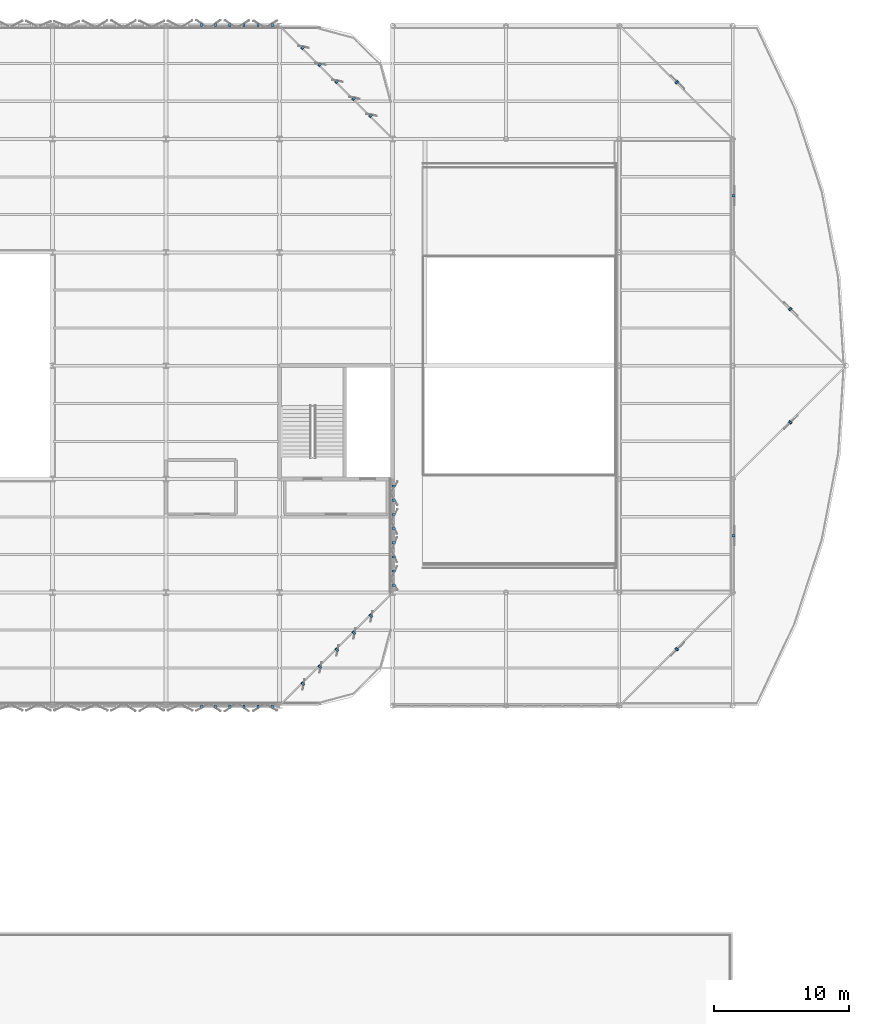
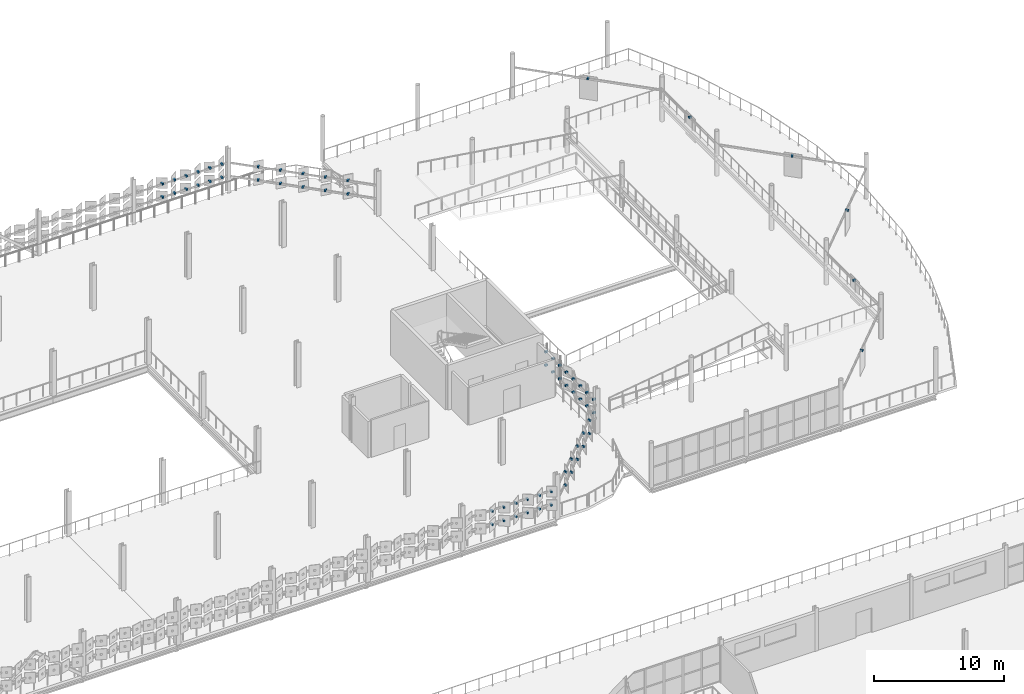
# One storey, part 174 of 184: 66 discrete accessories.
"""IFC4 building model written with IfcOpenShell, lengths in metres."""

from ifc_helpers import new_model, si_unit, direction, frame, origin, origin_2d, place, context, subcontext, project, spatial, rectangle, extrude, material, type_object, element, save


model = new_model("IFC4")

# Units and contexts
model_context = context("Model", 3, precision=1e-05, world=origin(), true_north=direction((0.0, 1.0)))
body_context = subcontext(model_context, "Body", "Model", "MODEL_VIEW")
ifc_project = project(units=[si_unit("LENGTHUNIT", "METRE"), si_unit("AREAUNIT", "SQUARE_METRE"), si_unit("VOLUMEUNIT", "CUBIC_METRE"), si_unit("PLANEANGLEUNIT", "RADIAN"), si_unit("MASSUNIT", "GRAM", prefix="KILO")], contexts=[model_context])

# Site, building, storey
site_placement = place(None, origin())
site = spatial("IfcSite", under=ifc_project, at=site_placement, CompositionType="ELEMENT")
building_placement = place(site_placement, origin())
building = spatial("IfcBuilding", under=site, at=building_placement, Name="Qalvenar Corner Mobility Hub", CompositionType="ELEMENT")
storey_placement = place(building_placement, frame((0.0, 0.0, 9.0)))
storey = spatial("IfcBuildingStorey", under=building, at=storey_placement, Name="L02", CompositionType="ELEMENT", Elevation=9.0)

# Discrete accessories
ifc_material = material(Name="Steel S355", Category="steel")
discrete_accessory_type = type_object("IfcDiscreteAccessoryType", Name="ACC-HINGE-BRK", PredefinedType="BRACKET", material=ifc_material)
for number, where, z_axis, x_axis, name in (
    (1, (128.625, 67.1201171875, 1.419921875), (0.0, 0.0, 1.0), (1.0, 0.0, 0.0), "Panel Hinge Bracket BK-L02-0477"),
    (2, (128.625, 67.1201171875, 2.669921875), (0.0, 0.0, 1.0), (1.0, 0.0, 0.0), "Panel Hinge Bracket BK-L02-0478"),
    (3, (129.675048828125, 67.1201171875, 1.419921875), (0.0, 0.0, 1.0), (1.0, 0.0, 0.0), "Panel Hinge Bracket BK-L02-0479"),
    (4, (129.675048828125, 67.1201171875, 2.669921875), (0.0, 0.0, 1.0), (1.0, 0.0, 0.0), "Panel Hinge Bracket BK-L02-0480"),
    (5, (130.72509765625, 67.1201171875, 1.419921875), (0.0, 0.0, 1.0), (1.0, 0.0, 0.0), "Panel Hinge Bracket BK-L02-0481"),
    (6, (130.72509765625, 67.1201171875, 2.669921875), (0.0, 0.0, 1.0), (1.0, 0.0, 0.0), "Panel Hinge Bracket BK-L02-0482"),
    (7, (131.77490234375, 67.1201171875, 1.419921875), (0.0, 0.0, 1.0), (1.0, 0.0, 0.0), "Panel Hinge Bracket BK-L02-0483"),
    (8, (131.77490234375, 67.1201171875, 2.669921875), (0.0, 0.0, 1.0), (1.0, 0.0, 0.0), "Panel Hinge Bracket BK-L02-0484"),
    (9, (132.824951171875, 67.1201171875, 1.419921875), (0.0, 0.0, 1.0), (1.0, 0.0, 0.0), "Panel Hinge Bracket BK-L02-0485"),
    (10, (132.824951171875, 67.1201171875, 2.669921875), (0.0, 0.0, 1.0), (1.0, 0.0, 0.0), "Panel Hinge Bracket BK-L02-0486"),
    (11, (133.875, 67.1201171875, 1.419921875), (0.0, 0.0, 1.0), (1.0, 0.0, 0.0), "Panel Hinge Bracket BK-L02-0487"),
    (12, (133.875, 67.1201171875, 2.669921875), (0.0, 0.0, 1.0), (1.0, 0.0, 0.0), "Panel Hinge Bracket BK-L02-0488"),
    (13, (133.875, 117.679931640625, 1.419921875), (0.0, 0.0, 1.0), (-1.0, 0.0, 0.0), "Panel Hinge Bracket BK-L02-0489"),
    (14, (133.875, 117.679931640625, 2.669921875), (0.0, 0.0, 1.0), (-1.0, 0.0, 0.0), "Panel Hinge Bracket BK-L02-0490"),
    (15, (132.824951171875, 117.679931640625, 1.419921875), (0.0, 0.0, 1.0), (-1.0, 0.0, 0.0), "Panel Hinge Bracket BK-L02-0491"),
    (16, (132.824951171875, 117.679931640625, 2.669921875), (0.0, 0.0, 1.0), (-1.0, 0.0, 0.0), "Panel Hinge Bracket BK-L02-0492"),
    (17, (131.77490234375, 117.679931640625, 1.419921875), (0.0, 0.0, 1.0), (-1.0, 0.0, 0.0), "Panel Hinge Bracket BK-L02-0493"),
    (18, (131.77490234375, 117.679931640625, 2.669921875), (0.0, 0.0, 1.0), (-1.0, 0.0, 0.0), "Panel Hinge Bracket BK-L02-0494"),
    (19, (130.72509765625, 117.679931640625, 1.419921875), (0.0, 0.0, 1.0), (-1.0, 0.0, 0.0), "Panel Hinge Bracket BK-L02-0495"),
    (20, (130.72509765625, 117.679931640625, 2.669921875), (0.0, 0.0, 1.0), (-1.0, 0.0, 0.0), "Panel Hinge Bracket BK-L02-0496"),
    (21, (129.675048828125, 117.679931640625, 1.419921875), (0.0, 0.0, 1.0), (-1.0, 0.0, 0.0), "Panel Hinge Bracket BK-L02-0497"),
    (22, (129.675048828125, 117.679931640625, 2.669921875), (0.0, 0.0, 1.0), (-1.0, 0.0, 0.0), "Panel Hinge Bracket BK-L02-0498"),
    (23, (128.625, 117.679931640625, 1.419921875), (0.0, 0.0, 1.0), (-1.0, 0.0, 0.0), "Panel Hinge Bracket BK-L02-0499"),
    (24, (128.625, 117.679931640625, 2.669921875), (0.0, 0.0, 1.0), (-1.0, 0.0, 0.0), "Panel Hinge Bracket BK-L02-0500"),
    (25, (142.8798828125, 76.125, 1.419921875), (0.0, 0.0, 1.0), (0.0, 1.0, 0.0), "Panel Hinge Bracket BK-L02-0665"),
    (26, (142.8798828125, 76.125, 2.669921875), (0.0, 0.0, 1.0), (0.0, 1.0, 0.0), "Panel Hinge Bracket BK-L02-0666"),
    (27, (142.8798828125, 77.175048828125, 1.419921875), (0.0, 0.0, 1.0), (0.0, 1.0, 0.0), "Panel Hinge Bracket BK-L02-0667"),
    (28, (142.8798828125, 77.175048828125, 2.669921875), (0.0, 0.0, 1.0), (0.0, 1.0, 0.0), "Panel Hinge Bracket BK-L02-0668"),
    (29, (142.8798828125, 78.22509765625, 1.419921875), (0.0, 0.0, 1.0), (0.0, 1.0, 0.0), "Panel Hinge Bracket BK-L02-0669"),
    (30, (142.8798828125, 78.22509765625, 2.669921875), (0.0, 0.0, 1.0), (0.0, 1.0, 0.0), "Panel Hinge Bracket BK-L02-0670"),
    (31, (142.8798828125, 79.27490234375, 1.419921875), (0.0, 0.0, 1.0), (0.0, 1.0, 0.0), "Panel Hinge Bracket BK-L02-0671"),
    (32, (142.8798828125, 79.27490234375, 2.669921875), (0.0, 0.0, 1.0), (0.0, 1.0, 0.0), "Panel Hinge Bracket BK-L02-0672"),
    (33, (142.8798828125, 80.324951171875, 1.419921875), (0.0, 0.0, 1.0), (0.0, 1.0, 0.0), "Panel Hinge Bracket BK-L02-0673"),
    (34, (142.8798828125, 80.324951171875, 2.669921875), (0.0, 0.0, 1.0), (0.0, 1.0, 0.0), "Panel Hinge Bracket BK-L02-0674"),
    (35, (142.8798828125, 81.375, 1.419921875), (0.0, 0.0, 1.0), (0.0, 1.0, 0.0), "Panel Hinge Bracket BK-L02-0675"),
    (36, (142.8798828125, 81.375, 2.669921875), (0.0, 0.0, 1.0), (0.0, 1.0, 0.0), "Panel Hinge Bracket BK-L02-0676"),
    (37, (142.8798828125, 82.425048828125, 1.419921875), (0.0, 0.0, 1.0), (0.0, 1.0, 0.0), "Panel Hinge Bracket BK-L02-0677"),
    (38, (142.8798828125, 82.425048828125, 2.669921875), (0.0, 0.0, 1.0), (0.0, 1.0, 0.0), "Panel Hinge Bracket BK-L02-0678"),
    (39, (142.8798828125, 83.47509765625, 1.419921875), (0.0, 0.0, 1.0), (0.0, 1.0, 0.0), "Panel Hinge Bracket BK-L02-0679"),
    (40, (142.8798828125, 83.47509765625, 2.669921875), (0.0, 0.0, 1.0), (0.0, 1.0, 0.0), "Panel Hinge Bracket BK-L02-0680"),
    (41, (136.13671875, 68.823486328125, 1.419921875), (0.0, 0.0, 1.0), (0.707106781187, 0.707106781187, 0.0), "Corner Hinge Bracket BKC-L02-0691"),
    (42, (137.396484375, 70.08349609375, 1.419921875), (0.0, 0.0, 1.0), (0.707106781187, 0.707106781187, 0.0), "Corner Hinge Bracket BKC-L02-0692"),
    (43, (138.656494140625, 71.343505859375, 1.419921875), (0.0, 0.0, 1.0), (0.707106781187, 0.707106781187, 0.0), "Corner Hinge Bracket BKC-L02-0693"),
    (44, (139.91650390625, 72.603515625, 1.419921875), (0.0, 0.0, 1.0), (0.707106781187, 0.707106781187, 0.0), "Corner Hinge Bracket BKC-L02-0694"),
    (45, (141.176513671875, 73.86328125, 1.419921875), (0.0, 0.0, 1.0), (0.707106781187, 0.707106781187, 0.0), "Corner Hinge Bracket BKC-L02-0695"),
    (46, (136.13671875, 68.823486328125, 2.669921875), (0.0, 0.0, 1.0), (0.707106781187, 0.707106781187, 0.0), "Corner Hinge Bracket BKC-L02-0696"),
    (47, (137.396484375, 70.08349609375, 2.669921875), (0.0, 0.0, 1.0), (0.707106781187, 0.707106781187, 0.0), "Corner Hinge Bracket BKC-L02-0697"),
    (48, (138.656494140625, 71.343505859375, 2.669921875), (0.0, 0.0, 1.0), (0.707106781187, 0.707106781187, 0.0), "Corner Hinge Bracket BKC-L02-0698"),
    (49, (139.91650390625, 72.603515625, 2.669921875), (0.0, 0.0, 1.0), (0.707106781187, 0.707106781187, 0.0), "Corner Hinge Bracket BKC-L02-0699"),
    (50, (141.176513671875, 73.86328125, 2.669921875), (0.0, 0.0, 1.0), (0.707106781187, 0.707106781187, 0.0), "Corner Hinge Bracket BKC-L02-0700"),
    (51, (141.176513671875, 110.9365234375, 1.419921875), (0.0, 0.0, 1.0), (-0.707106781187, 0.707106781187, 0.0), "Corner Hinge Bracket BKC-L02-0701"),
    (52, (139.91650390625, 112.196533203125, 1.419921875), (0.0, 0.0, 1.0), (-0.707106781187, 0.707106781187, 0.0), "Corner Hinge Bracket BKC-L02-0702"),
    (53, (138.656494140625, 113.45654296875, 1.419921875), (0.0, 0.0, 1.0), (-0.707106781187, 0.707106781187, 0.0), "Corner Hinge Bracket BKC-L02-0703"),
    (54, (137.396484375, 114.716552734375, 1.419921875), (0.0, 0.0, 1.0), (-0.707106781187, 0.707106781187, 0.0), "Corner Hinge Bracket BKC-L02-0704"),
    (55, (136.13671875, 115.9765625, 1.419921875), (0.0, 0.0, 1.0), (-0.707106781187, 0.707106781187, 0.0), "Corner Hinge Bracket BKC-L02-0705"),
    (56, (141.176513671875, 110.9365234375, 2.669921875), (0.0, 0.0, 1.0), (-0.707106781187, 0.707106781187, 0.0), "Corner Hinge Bracket BKC-L02-0706"),
    (57, (139.91650390625, 112.196533203125, 2.669921875), (0.0, 0.0, 1.0), (-0.707106781187, 0.707106781187, 0.0), "Corner Hinge Bracket BKC-L02-0707"),
    (58, (138.656494140625, 113.45654296875, 2.669921875), (0.0, 0.0, 1.0), (-0.707106781187, 0.707106781187, 0.0), "Corner Hinge Bracket BKC-L02-0708"),
    (59, (137.396484375, 114.716552734375, 2.669921875), (0.0, 0.0, 1.0), (-0.707106781187, 0.707106781187, 0.0), "Corner Hinge Bracket BKC-L02-0709"),
    (60, (136.13671875, 115.9765625, 2.669921875), (0.0, 0.0, 1.0), (-0.707106781187, 0.707106781187, 0.0), "Corner Hinge Bracket BKC-L02-0710"),
):
    element("IfcDiscreteAccessory", number, at=place(storey_placement, frame(where, z_axis=z_axis, x_axis=x_axis)), inside=storey, type_object=discrete_accessory_type, Name=name, PredefinedType="BRACKET", context=body_context, shape_type="SweptSolid", body=[
        extrude(rectangle(XDim=0.159912109375, YDim=0.260009765625, at=origin_2d()), origin(), (0.0, 0.0, 1.0), 0.159912109375),
    ])
for number, where, z_axis, x_axis, name in (
    (61, (163.860107421875, 71.39990234375, 2.77001953125), (0.0, 0.0, 1.0), (0.707106781187, 0.707106781187, 0.0), "Rotunda Screen Bracket BKV2-L02-1"),
    (62, (168.06005859375, 79.800048828125, 2.77001953125), (0.0, 0.0, 1.0), (0.0, 1.0, 0.0), "Rotunda Screen Bracket BKV2-L02-2"),
    (63, (172.260009765625, 88.199951171875, 2.77001953125), (0.0, 0.0, 1.0), (0.707106781187, 0.707106781187, 0.0), "Rotunda Screen Bracket BKV2-L02-3"),
    (64, (172.260009765625, 96.60009765625, 2.77001953125), (0.0, 0.0, 1.0), (-0.707106781187, 0.707106781187, 0.0), "Rotunda Screen Bracket BKV2-L02-4"),
    (65, (168.06005859375, 105.0, 2.77001953125), (0.0, 0.0, 1.0), (0.0, 1.0, 0.0), "Rotunda Screen Bracket BKV2-L02-5"),
    (66, (163.860107421875, 113.39990234375, 2.77001953125), (0.0, 0.0, 1.0), (-0.707106781187, 0.707106781187, 0.0), "Rotunda Screen Bracket BKV2-L02-6"),
):
    element("IfcDiscreteAccessory", number, at=place(storey_placement, frame(where, z_axis=z_axis, x_axis=x_axis)), inside=storey, type_object=discrete_accessory_type, Name=name, PredefinedType="BRACKET", context=body_context, shape_type="SweptSolid", body=[
        extrude(rectangle(XDim=0.159912109375, YDim=0.239990234375, at=origin_2d()), origin(), (0.0, 0.0, 1.0), 0.159912109375),
    ])

save(model, "model.ifc")
